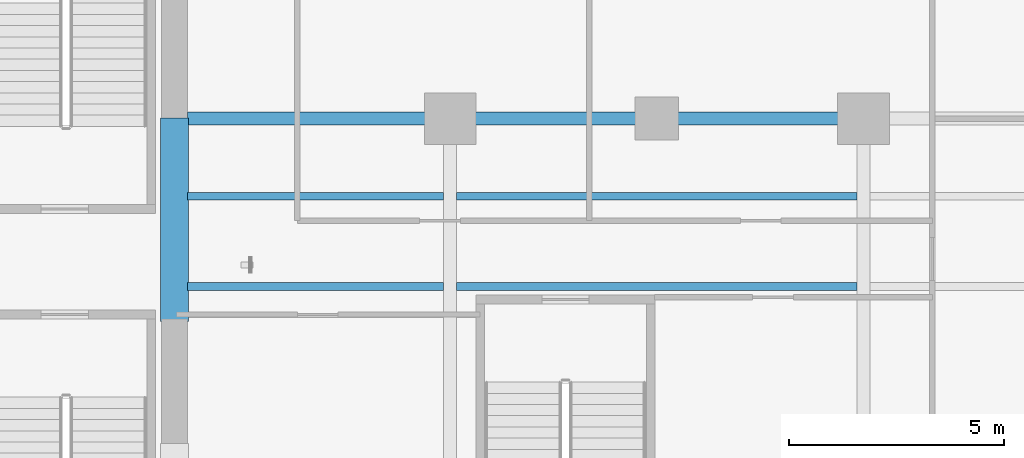
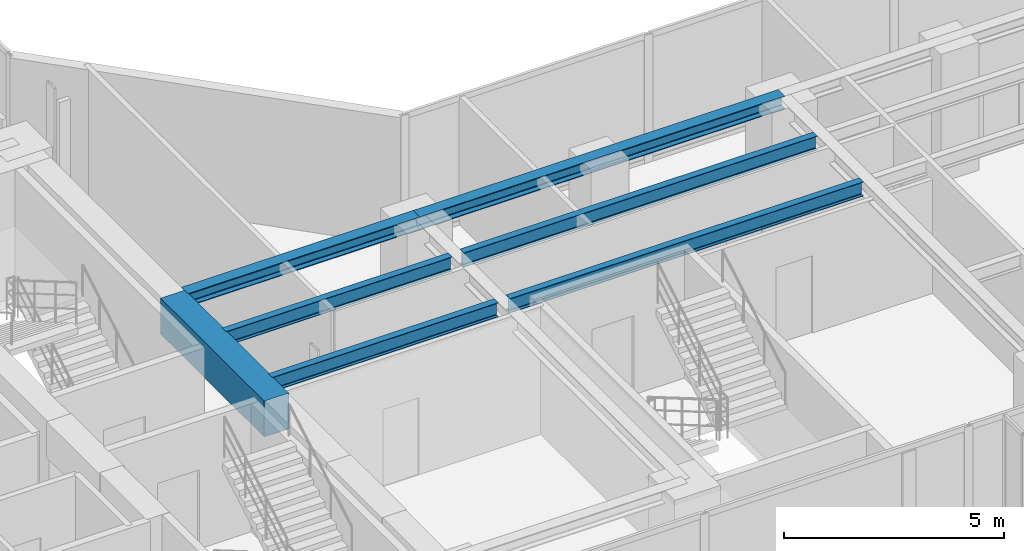
# One storey, part 6 of 27: 7 beams.
"""IFC4 building model written with IfcOpenShell, lengths in metres."""

from ifc_helpers import new_model, si_unit, direction, frame, origin, origin_2d, place, context, subcontext, project, spatial, rectangle, i_section, extrude, material, material_profile, profile_set, type_object, element, save


model = new_model("IFC4")

# Units and contexts
model_context = context("Model", 3, precision=1e-05, world=origin(), true_north=direction((0.0, 1.0)))
body_context = subcontext(model_context, "Body", "Model", "MODEL_VIEW")
ifc_project = project(units=[si_unit("LENGTHUNIT", "METRE"), si_unit("AREAUNIT", "SQUARE_METRE"), si_unit("VOLUMEUNIT", "CUBIC_METRE"), si_unit("PLANEANGLEUNIT", "RADIAN"), si_unit("MASSUNIT", "GRAM", prefix="KILO")], contexts=[model_context])

# Site, building, storey
site_placement = place(None, origin())
site = spatial("IfcSite", under=ifc_project, at=site_placement, CompositionType="ELEMENT")
building_placement = place(site_placement, origin())
building = spatial("IfcBuilding", under=site, at=building_placement, Name="Kolvaren Waterfront Exchange", CompositionType="ELEMENT")
storey_placement = place(building_placement, frame((0.0, 0.0, 176.60009765625)))
storey = spatial("IfcBuildingStorey", under=building, at=storey_placement, Name="L45", CompositionType="ELEMENT", Elevation=176.60009765625)

# Beams
ifc_material_1 = material(Name="Steel S355", Category="steel")
ifc_material_profile_1 = material_profile(ifc_material_1, i_section(OverallWidth=0.300048828125, OverallDepth=0.360107421875, WebThickness=0.012451171875, FlangeThickness=0.0224609375, FilletRadius=0.027099609375, at=origin_2d()), Name="HEB360")
ifc_profile_set_1 = profile_set([ifc_material_profile_1], Name="Steel S355")
beam_type_1 = type_object("IfcBeamType", Name="STR-BM-HEB360", PredefinedType="SPANDREL", material=ifc_profile_set_1)
beam_1_placement = place(storey_placement, frame((21.10009765625, 17.39990234375, 3.3798828125), z_axis=(1.0, 0.0, 0.0), x_axis=(0.0, 1.0, 0.0)))
element("IfcBeam", 1, at=beam_1_placement, inside=storey, type_object=beam_type_1, Name="L45 east-arm spandrel N1", PredefinedType="SPANDREL", context=body_context, shape_type="SweptSolid", body=[
    extrude(i_section(OverallWidth=0.300048828125, OverallDepth=0.360107421875, WebThickness=0.012451171875, FlangeThickness=0.0224609375, FilletRadius=0.027099609375, at=origin_2d()), origin(), (0.0, 0.0, 1.0), 6.099853515625),
])
beam_2_placement = place(storey_placement, frame((27.199951171875, 17.39990234375, 3.3798828125), z_axis=(1.0, 0.0, 0.0), x_axis=(0.0, 1.0, 0.0)))
element("IfcBeam", 2, at=beam_2_placement, inside=storey, type_object=beam_type_1, Name="L45 east-arm spandrel N2", PredefinedType="SPANDREL", context=body_context, shape_type="SweptSolid", body=[
    extrude(i_section(OverallWidth=0.300048828125, OverallDepth=0.360107421875, WebThickness=0.012451171875, FlangeThickness=0.0224609375, FilletRadius=0.027099609375, at=origin_2d()), origin(), (0.0, 0.0, 1.0), 9.60009765625),
])
ifc_material_profile_2 = material_profile(ifc_material_1, i_section(OverallWidth=0.179931640625, OverallDepth=0.39990234375, WebThickness=0.008544921875, FlangeThickness=0.013427734375, FilletRadius=0.02099609375, at=origin_2d()), Name="IPE400")
ifc_profile_set_2 = profile_set([ifc_material_profile_2], Name="Steel S355")
beam_type_2 = type_object("IfcBeamType", Name="STR-BM-IPE400", PredefinedType="JOIST", material=ifc_profile_set_2)
for number, where, z_axis, x_axis, name in (
    (3, (21.10009765625, 13.5, 3.35986328125), (1.0, 0.0, 0.0), (0.0, 1.0, 0.0), "L45 east-arm composite joist 1A"),
    (4, (21.10009765625, 15.60009765625, 3.35986328125), (1.0, 0.0, 0.0), (0.0, 1.0, 0.0), "L45 east-arm composite joist 1C"),
):
    element("IfcBeam", number, at=place(storey_placement, frame(where, z_axis=z_axis, x_axis=x_axis)), inside=storey, type_object=beam_type_2, Name=name, PredefinedType="JOIST", context=body_context, shape_type="SweptSolid", body=[
        extrude(i_section(OverallWidth=0.179931640625, OverallDepth=0.39990234375, WebThickness=0.008544921875, FlangeThickness=0.013427734375, FilletRadius=0.02099609375, at=origin_2d()), origin(), (0.0, 0.0, 1.0), 5.947998046875),
    ])
for number, where, z_axis, x_axis, name in (
    (5, (27.35205078125, 13.5, 3.35986328125), (1.0, 0.0, 0.0), (0.0, 1.0, 0.0), "L45 east-arm composite joist 2A"),
    (6, (27.35205078125, 15.60009765625, 3.35986328125), (1.0, 0.0, 0.0), (0.0, 1.0, 0.0), "L45 east-arm composite joist 2C"),
):
    element("IfcBeam", number, at=place(storey_placement, frame(where, z_axis=z_axis, x_axis=x_axis)), inside=storey, type_object=beam_type_2, Name=name, PredefinedType="JOIST", context=body_context, shape_type="SweptSolid", body=[
        extrude(i_section(OverallWidth=0.179931640625, OverallDepth=0.39990234375, WebThickness=0.008544921875, FlangeThickness=0.013427734375, FilletRadius=0.02099609375, at=origin_2d()), origin(), (0.0, 0.0, 1.0), 9.2958984375),
    ])
ifc_material_2 = material(Name="Concrete C60/75", Category="concrete")
ifc_material_profile_3 = material_profile(ifc_material_2, rectangle(XDim=0.64990234375, YDim=1.0, at=origin_2d()), Name="RC-CB-1000x650")
ifc_profile_set_3 = profile_set([ifc_material_profile_3], Name="Concrete C60/75")
beam_type_3 = type_object("IfcBeamType", Name="STR-CB-1000", PredefinedType="SPANDREL", material=ifc_profile_set_3)
beam_3_placement = place(storey_placement, frame((20.800048828125, 12.68994140625, 3.059814453125), z_axis=(0.0, 1.0, 0.0), x_axis=(-1.0, 0.0, 0.0)))
element("IfcBeam", 7, at=beam_3_placement, inside=storey, type_object=beam_type_3, Name="L45 core coupling beam 2", PredefinedType="SPANDREL", context=body_context, shape_type="SweptSolid", body=[
    extrude(rectangle(XDim=0.64990234375, YDim=1.0, at=origin_2d()), origin(), (0.0, 0.0, 1.0), 4.719970703125),
])

save(model, "model.ifc")
